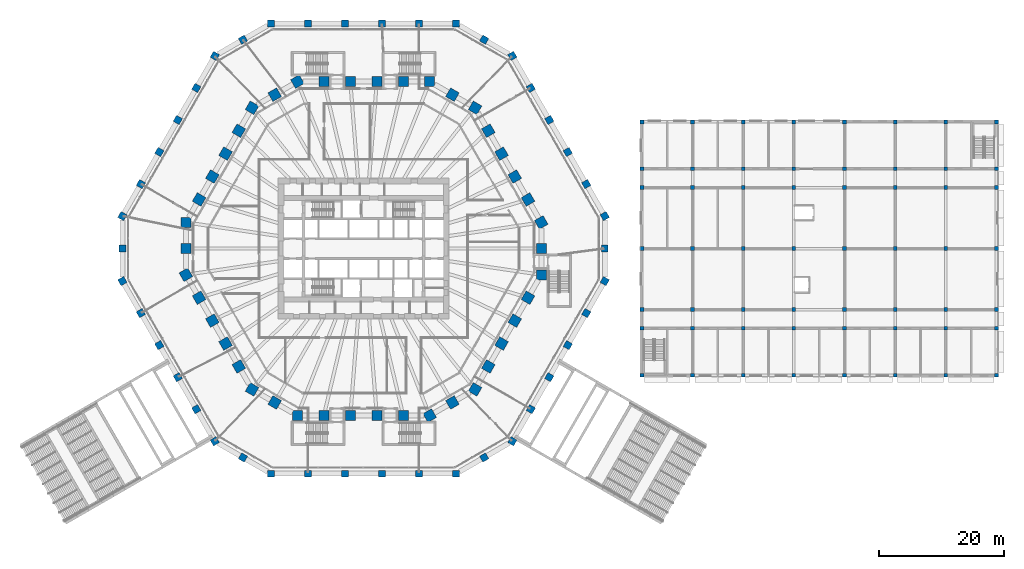
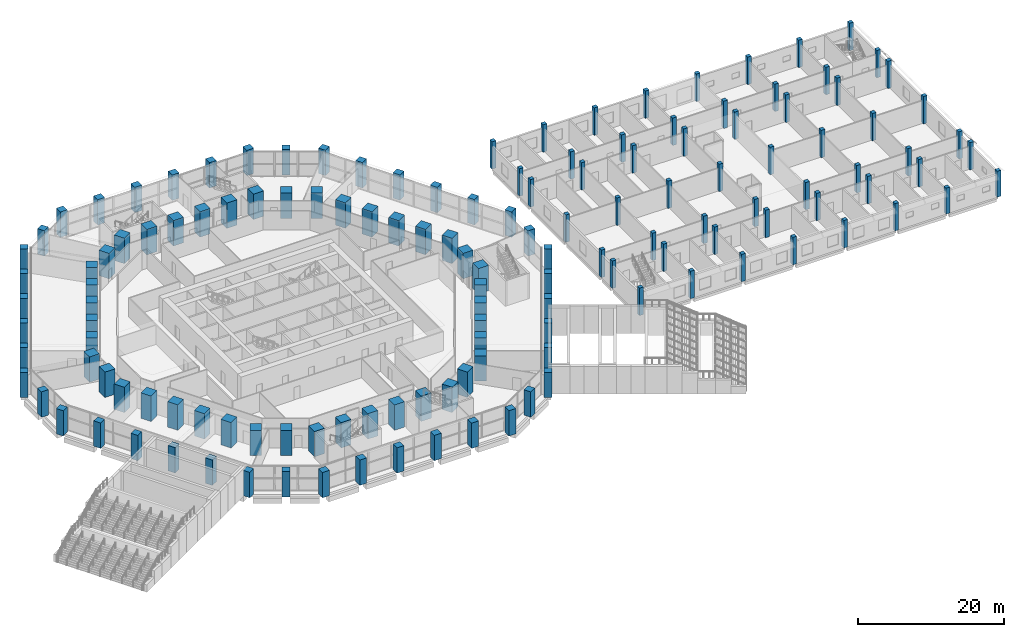
# One storey, part 1 of 38: 140 columns.
"""IFC4 building model written with IfcOpenShell, lengths in metres."""

from ifc_helpers import new_model, si_unit, direction, frame, origin, origin_2d, place, context, subcontext, project, spatial, rectangle, extrude, material, material_profile, profile_set, type_object, element, save


model = new_model("IFC4")

# Units and contexts
model_context = context("Model", 3, precision=1e-05, world=origin(), true_north=direction((0.0, 1.0)))
body_context = subcontext(model_context, "Body", "Model", "MODEL_VIEW")
ifc_project = project(units=[si_unit("LENGTHUNIT", "METRE"), si_unit("AREAUNIT", "SQUARE_METRE"), si_unit("VOLUMEUNIT", "CUBIC_METRE"), si_unit("PLANEANGLEUNIT", "RADIAN"), si_unit("MASSUNIT", "GRAM", prefix="KILO")], contexts=[model_context])

# Site, building, storey
site_placement = place(None, origin())
site = spatial("IfcSite", under=ifc_project, at=site_placement, CompositionType="ELEMENT")
building_placement = place(site_placement, origin())
building = spatial("IfcBuilding", under=site, at=building_placement, Name="Frailejon Research Tower", CompositionType="ELEMENT")
storey_placement = place(building_placement, frame((0.0, 0.0, 5.60009765625)))
storey = spatial("IfcBuildingStorey", under=building, at=storey_placement, Name="L01", CompositionType="ELEMENT", Elevation=5.60009765625)

# Columns
ifc_material_1 = material(Name="Concrete C70/85", Category="concrete")
ifc_material_profile_1 = material_profile(ifc_material_1, rectangle(XDim=1.60009765625, YDim=1.60009765625, at=origin_2d()), Name="Column 1600")
ifc_profile_set_1 = profile_set([ifc_material_profile_1], Name="Concrete C70/85")
column_type_1 = type_object("IfcColumnType", Name="Column 1600", PredefinedType="COLUMN", material=ifc_profile_set_1)
for number, where, z_axis, x_axis, name in (
    (1, (28.412841796875, -4.1875, 0.0), (0.0, 0.0, 1.0), (0.0, 1.0, 0.0), "Column C01"),
    (2, (28.412841796875, 0.0, 0.0), (0.0, 0.0, 1.0), (0.0, 1.0, 0.0), "Column C02"),
    (3, (28.412841796875, 4.1875, 0.0), (0.0, 0.0, 1.0), (-0.5, 0.866025403784, 0.0), "Column C03"),
    (4, (26.296875, 7.8525390625, 0.0), (0.0, 0.0, 1.0), (-0.5, 0.866025403784, 0.0), "Column C04"),
    (5, (24.180908203125, 11.517578125, 0.0), (0.0, 0.0, 1.0), (-0.5, 0.866025403784, 0.0), "Column C05"),
    (6, (22.06494140625, 15.1826171875, 0.0), (0.0, 0.0, 1.0), (-0.5, 0.866025403784, 0.0), "Column C06"),
    (7, (19.948974609375, 18.847412109375, 0.0), (0.0, 0.0, 1.0), (-0.5, 0.866025403784, 0.0), "Column C07"),
    (8, (17.8330078125, 22.512451171875, 0.0), (0.0, 0.0, 1.0), (-0.866025403784, 0.5, 0.0), "Column C08"),
    (9, (14.206298828125, 24.606201171875, 0.0), (0.0, 0.0, 1.0), (-0.866025403784, 0.5, 0.0), "Column C09"),
    (10, (10.579833984375, 26.699951171875, 0.0), (0.0, 0.0, 1.0), (-1.0, 0.0, 0.0), "Column C10"),
    (11, (6.347900390625, 26.699951171875, 0.0), (0.0, 0.0, 1.0), (-1.0, 0.0, 0.0), "Column C11"),
    (12, (2.115966796875, 26.699951171875, 0.0), (0.0, 0.0, 1.0), (-1.0, 0.0, 0.0), "Column C12"),
    (13, (-2.115966796875, 26.699951171875, 0.0), (0.0, 0.0, 1.0), (-1.0, 0.0, 0.0), "Column C13"),
    (14, (-6.347900390625, 26.699951171875, 0.0), (0.0, 0.0, 1.0), (-1.0, 0.0, 0.0), "Column C14"),
    (15, (-10.579833984375, 26.699951171875, 0.0), (0.0, 0.0, 1.0), (-0.866025403784, -0.5, 0.0), "Column C15"),
    (16, (-14.206298828125, 24.606201171875, 0.0), (0.0, 0.0, 1.0), (-0.866025403784, -0.5, 0.0), "Column C16"),
    (17, (-17.8330078125, 22.512451171875, 0.0), (0.0, 0.0, 1.0), (-0.5, -0.866025403784, 0.0), "Column C17"),
    (18, (-19.948974609375, 18.847412109375, 0.0), (0.0, 0.0, 1.0), (-0.5, -0.866025403784, 0.0), "Column C18"),
    (19, (-22.06494140625, 15.1826171875, 0.0), (0.0, 0.0, 1.0), (-0.5, -0.866025403784, 0.0), "Column C19"),
    (20, (-24.180908203125, 11.517578125, 0.0), (0.0, 0.0, 1.0), (-0.5, -0.866025403784, 0.0), "Column C20"),
    (21, (-26.296875, 7.8525390625, 0.0), (0.0, 0.0, 1.0), (-0.5, -0.866025403784, 0.0), "Column C21"),
    (22, (-28.412841796875, 4.1875, 0.0), (0.0, 0.0, 1.0), (0.0, -1.0, 0.0), "Column C22"),
    (23, (-28.412841796875, 0.0, 0.0), (0.0, 0.0, 1.0), (0.0, -1.0, 0.0), "Column C23"),
    (24, (-28.412841796875, -4.1875, 0.0), (0.0, 0.0, 1.0), (0.5, -0.866025403784, 0.0), "Column C24"),
    (25, (-26.296875, -7.8525390625, 0.0), (0.0, 0.0, 1.0), (0.5, -0.866025403784, 0.0), "Column C25"),
    (26, (-24.180908203125, -11.517578125, 0.0), (0.0, 0.0, 1.0), (0.5, -0.866025403784, 0.0), "Column C26"),
    (27, (-22.06494140625, -15.1826171875, 0.0), (0.0, 0.0, 1.0), (0.5, -0.866025403784, 0.0), "Column C27"),
    (28, (-19.948974609375, -18.847412109375, 0.0), (0.0, 0.0, 1.0), (0.5, -0.866025403784, 0.0), "Column C28"),
    (29, (-17.8330078125, -22.512451171875, 0.0), (0.0, 0.0, 1.0), (0.866025403784, -0.5, 0.0), "Column C29"),
    (30, (-14.206298828125, -24.606201171875, 0.0), (0.0, 0.0, 1.0), (0.866025403784, -0.5, 0.0), "Column C30"),
    (31, (-10.579833984375, -26.699951171875, 0.0), (0.0, 0.0, 1.0), (1.0, 0.0, 0.0), "Column C31"),
    (32, (-6.347900390625, -26.699951171875, 0.0), (0.0, 0.0, 1.0), (1.0, 0.0, 0.0), "Column C32"),
    (33, (-2.115966796875, -26.699951171875, 0.0), (0.0, 0.0, 1.0), (1.0, 0.0, 0.0), "Column C33"),
    (34, (2.115966796875, -26.699951171875, 0.0), (0.0, 0.0, 1.0), (1.0, 0.0, 0.0), "Column C34"),
    (35, (6.347900390625, -26.699951171875, 0.0), (0.0, 0.0, 1.0), (1.0, 0.0, 0.0), "Column C35"),
    (36, (10.579833984375, -26.699951171875, 0.0), (0.0, 0.0, 1.0), (0.866025403784, 0.5, 0.0), "Column C36"),
    (37, (14.206298828125, -24.606201171875, 0.0), (0.0, 0.0, 1.0), (0.866025403784, 0.5, 0.0), "Column C37"),
    (38, (17.8330078125, -22.512451171875, 0.0), (0.0, 0.0, 1.0), (0.5, 0.866025403784, 0.0), "Column C38"),
    (39, (19.948974609375, -18.847412109375, 0.0), (0.0, 0.0, 1.0), (0.5, 0.866025403784, 0.0), "Column C39"),
    (40, (22.06494140625, -15.1826171875, 0.0), (0.0, 0.0, 1.0), (0.5, 0.866025403784, 0.0), "Column C40"),
    (41, (24.180908203125, -11.517578125, 0.0), (0.0, 0.0, 1.0), (0.5, 0.866025403784, 0.0), "Column C41"),
    (42, (26.296875, -7.8525390625, 0.0), (0.0, 0.0, 1.0), (0.5, 0.866025403784, 0.0), "Column C42"),
):
    element("IfcColumn", number, at=place(storey_placement, frame(where, z_axis=z_axis, x_axis=x_axis)), inside=storey, type_object=column_type_1, Name=name, PredefinedType="COLUMN", context=body_context, shape_type="SweptSolid", body=[
        extrude(rectangle(XDim=1.60009765625, YDim=1.60009765625, at=origin_2d()), origin(), (0.0, 0.0, 1.0), 4.25),
    ])
ifc_material_2 = material(Name="Concrete C60/75", Category="concrete")
ifc_material_profile_2 = material_profile(ifc_material_2, rectangle(XDim=1.10009765625, YDim=1.10009765625, at=origin_2d()), Name="Column base ring 1100")
ifc_profile_set_2 = profile_set([ifc_material_profile_2], Name="Concrete C60/75")
column_type_2 = type_object("IfcColumnType", Name="Column base ring 1100", PredefinedType="COLUMN", material=ifc_profile_set_2)
for number, where, z_axis, x_axis, name in (
    (43, (38.569091796875, -5.1962890625, 0.0), (0.0, 0.0, 1.0), (0.5, 0.866025403784, 0.0), "Column B01"),
    (44, (38.569091796875, 0.0, 0.0), (0.0, 0.0, 1.0), (0.0, 1.0, 0.0), "Column B02"),
    (45, (38.569091796875, 5.1962890625, 0.0), (0.0, 0.0, 1.0), (-0.5, 0.866025403784, 0.0), "Column B03"),
    (46, (35.6123046875, 10.317626953125, 0.0), (0.0, 0.0, 1.0), (-0.5, 0.866025403784, 0.0), "Column B04"),
    (47, (32.655517578125, 15.439208984375, 0.0), (0.0, 0.0, 1.0), (-0.5, 0.866025403784, 0.0), "Column B05"),
    (48, (29.698486328125, 20.560791015625, 0.0), (0.0, 0.0, 1.0), (-0.5, 0.866025403784, 0.0), "Column B06"),
    (49, (26.741455078125, 25.682373046875, 0.0), (0.0, 0.0, 1.0), (-0.5, 0.866025403784, 0.0), "Column B07"),
    (50, (23.78466796875, 30.8037109375, 0.0), (0.0, 0.0, 1.0), (-0.5, 0.866025403784, 0.0), "Column B08"),
    (51, (19.28466796875, 33.40185546875, 0.0), (0.0, 0.0, 1.0), (-0.866025403784, 0.5, 0.0), "Column B09"),
    (52, (14.78466796875, 36.0, 0.0), (0.0, 0.0, 1.0), (-1.0, 0.0, 0.0), "Column B10"),
    (53, (8.870849609375, 36.0, 0.0), (0.0, 0.0, 1.0), (-1.0, 0.0, 0.0), "Column B11"),
    (54, (2.956787109375, 36.0, 0.0), (0.0, 0.0, 1.0), (-1.0, 0.0, 0.0), "Column B12"),
    (55, (-2.956787109375, 36.0, 0.0), (0.0, 0.0, 1.0), (-1.0, 0.0, 0.0), "Column B13"),
    (56, (-8.870849609375, 36.0, 0.0), (0.0, 0.0, 1.0), (-1.0, 0.0, 0.0), "Column B14"),
    (57, (-14.78466796875, 36.0, 0.0), (0.0, 0.0, 1.0), (-1.0, 0.0, 0.0), "Column B15"),
    (58, (-19.28466796875, 33.40185546875, 0.0), (0.0, 0.0, 1.0), (-0.866025403784, -0.5, 0.0), "Column B16"),
    (59, (-23.78466796875, 30.8037109375, 0.0), (0.0, 0.0, 1.0), (-0.5, -0.866025403784, 0.0), "Column B17"),
    (60, (-26.741455078125, 25.682373046875, 0.0), (0.0, 0.0, 1.0), (-0.5, -0.866025403784, 0.0), "Column B18"),
    (61, (-29.698486328125, 20.560791015625, 0.0), (0.0, 0.0, 1.0), (-0.5, -0.866025403784, 0.0), "Column B19"),
    (62, (-32.655517578125, 15.439208984375, 0.0), (0.0, 0.0, 1.0), (-0.5, -0.866025403784, 0.0), "Column B20"),
    (63, (-35.6123046875, 10.317626953125, 0.0), (0.0, 0.0, 1.0), (-0.5, -0.866025403784, 0.0), "Column B21"),
    (64, (-38.569091796875, 5.1962890625, 0.0), (0.0, 0.0, 1.0), (-0.5, -0.866025403784, 0.0), "Column B22"),
    (65, (-38.569091796875, 0.0, 0.0), (0.0, 0.0, 1.0), (0.0, -1.0, 0.0), "Column B23"),
    (66, (-38.569091796875, -5.1962890625, 0.0), (0.0, 0.0, 1.0), (0.5, -0.866025403784, 0.0), "Column B24"),
    (67, (-35.6123046875, -10.317626953125, 0.0), (0.0, 0.0, 1.0), (0.5, -0.866025403784, 0.0), "Column B25"),
    (68, (-32.655517578125, -15.439208984375, 0.0), (0.0, 0.0, 1.0), (0.5, -0.866025403784, 0.0), "Column B26"),
    (69, (-29.698486328125, -20.560791015625, 0.0), (0.0, 0.0, 1.0), (0.5, -0.866025403784, 0.0), "Column B27"),
    (70, (-26.741455078125, -25.682373046875, 0.0), (0.0, 0.0, 1.0), (0.5, -0.866025403784, 0.0), "Column B28"),
    (71, (-23.78466796875, -30.8037109375, 0.0), (0.0, 0.0, 1.0), (0.5, -0.866025403784, 0.0), "Column B29"),
    (72, (-19.28466796875, -33.40185546875, 0.0), (0.0, 0.0, 1.0), (0.866025403784, -0.5, 0.0), "Column B30"),
    (73, (-14.78466796875, -36.0, 0.0), (0.0, 0.0, 1.0), (1.0, 0.0, 0.0), "Column B31"),
    (74, (-8.870849609375, -36.0, 0.0), (0.0, 0.0, 1.0), (1.0, 0.0, 0.0), "Column B32"),
    (75, (-2.956787109375, -36.0, 0.0), (0.0, 0.0, 1.0), (1.0, 0.0, 0.0), "Column B33"),
    (76, (2.956787109375, -36.0, 0.0), (0.0, 0.0, 1.0), (1.0, 0.0, 0.0), "Column B34"),
    (77, (8.870849609375, -36.0, 0.0), (0.0, 0.0, 1.0), (1.0, 0.0, 0.0), "Column B35"),
    (78, (14.78466796875, -36.0, 0.0), (0.0, 0.0, 1.0), (1.0, 0.0, 0.0), "Column B36"),
    (79, (19.28466796875, -33.40185546875, 0.0), (0.0, 0.0, 1.0), (0.866025403784, 0.5, 0.0), "Column B37"),
    (80, (23.78466796875, -30.8037109375, 0.0), (0.0, 0.0, 1.0), (0.5, 0.866025403784, 0.0), "Column B38"),
    (81, (26.741455078125, -25.682373046875, 0.0), (0.0, 0.0, 1.0), (0.5, 0.866025403784, 0.0), "Column B39"),
    (82, (29.698486328125, -20.560791015625, 0.0), (0.0, 0.0, 1.0), (0.5, 0.866025403784, 0.0), "Column B40"),
    (83, (32.655517578125, -15.439208984375, 0.0), (0.0, 0.0, 1.0), (0.5, 0.866025403784, 0.0), "Column B41"),
    (84, (35.6123046875, -10.317626953125, 0.0), (0.0, 0.0, 1.0), (0.5, 0.866025403784, 0.0), "Column B42"),
):
    element("IfcColumn", number, at=place(storey_placement, frame(where, z_axis=z_axis, x_axis=x_axis)), inside=storey, type_object=column_type_2, Name=name, PredefinedType="COLUMN", context=body_context, shape_type="SweptSolid", body=[
        extrude(rectangle(XDim=1.10009765625, YDim=1.10009765625, at=origin_2d()), origin(), (0.0, 0.0, 1.0), 4.25),
    ])
ifc_material_3 = material(Name="Concrete C35/45", Category="concrete")
ifc_material_profile_3 = material_profile(ifc_material_3, rectangle(XDim=0.60009765625, YDim=0.60009765625, at=origin_2d()), Name="HC column 600x600")
ifc_profile_set_3 = profile_set([ifc_material_profile_3], Name="Concrete C35/45")
column_type_3 = type_object("IfcColumnType", Name="HC column 600x600", PredefinedType="COLUMN", material=ifc_profile_set_3)
for number, where, z_axis, x_axis, name in (
    (85, (44.5, -20.25, 0.0), (0.0, 0.0, 1.0), (1.0, 0.0, 0.0), "HC column A1 L01"),
    (86, (52.60009765625, -20.25, 0.0), (0.0, 0.0, 1.0), (1.0, 0.0, 0.0), "HC column A2 L01"),
    (87, (60.699951171875, -20.25, 0.0), (0.0, 0.0, 1.0), (1.0, 0.0, 0.0), "HC column A3 L01"),
    (88, (68.800048828125, -20.25, 0.0), (0.0, 0.0, 1.0), (1.0, 0.0, 0.0), "HC column A4 L01"),
    (89, (76.89990234375, -20.25, 0.0), (0.0, 0.0, 1.0), (1.0, 0.0, 0.0), "HC column A5 L01"),
    (90, (85.0, -20.25, 0.0), (0.0, 0.0, 1.0), (1.0, 0.0, 0.0), "HC column A6 L01"),
):
    element("IfcColumn", number, at=place(storey_placement, frame(where, z_axis=z_axis, x_axis=x_axis)), inside=storey, type_object=column_type_3, Name=name, PredefinedType="COLUMN", context=body_context, shape_type="SweptSolid", body=[
        extrude(rectangle(XDim=0.60009765625, YDim=0.60009765625, at=origin_2d()), origin(), (0.0, 0.0, 1.0), 4.599853515625),
    ])
for number, where, z_axis, x_axis, name in (
    (91, (93.10009765625, -20.25, 0.0), (0.0, 0.0, 1.0), (1.0, 0.0, 0.0), "HC column A7 L01"),
    (92, (101.199951171875, -20.25, 0.0), (0.0, 0.0, 1.0), (1.0, 0.0, 0.0), "HC column A8 L01"),
):
    element("IfcColumn", number, at=place(storey_placement, frame(where, z_axis=z_axis, x_axis=x_axis)), inside=storey, type_object=column_type_3, Name=name, PredefinedType="COLUMN", context=body_context, shape_type="SweptSolid", body=[
        extrude(rectangle(XDim=0.60009765625, YDim=0.60009765625, at=origin_2d()), origin(), (0.0, 0.0, 1.0), 4.349853515625),
    ])
for number, where, z_axis, x_axis, name in (
    (93, (44.5, -12.75, 0.0), (0.0, 0.0, 1.0), (1.0, 0.0, 0.0), "HC column B1 L01"),
    (94, (52.60009765625, -12.75, 0.0), (0.0, 0.0, 1.0), (1.0, 0.0, 0.0), "HC column B2 L01"),
    (95, (60.699951171875, -12.75, 0.0), (0.0, 0.0, 1.0), (1.0, 0.0, 0.0), "HC column B3 L01"),
    (96, (68.800048828125, -12.75, 0.0), (0.0, 0.0, 1.0), (1.0, 0.0, 0.0), "HC column B4 L01"),
    (97, (76.89990234375, -12.75, 0.0), (0.0, 0.0, 1.0), (1.0, 0.0, 0.0), "HC column B5 L01"),
    (98, (85.0, -12.75, 0.0), (0.0, 0.0, 1.0), (1.0, 0.0, 0.0), "HC column B6 L01"),
    (99, (93.10009765625, -12.75, 0.0), (0.0, 0.0, 1.0), (1.0, 0.0, 0.0), "HC column B7 L01"),
    (100, (101.199951171875, -12.75, 0.0), (0.0, 0.0, 1.0), (1.0, 0.0, 0.0), "HC column B8 L01"),
    (101, (44.5, -9.75, 0.0), (0.0, 0.0, 1.0), (1.0, 0.0, 0.0), "HC column C1 L01"),
    (102, (52.60009765625, -9.75, 0.0), (0.0, 0.0, 1.0), (1.0, 0.0, 0.0), "HC column C2 L01"),
    (103, (60.699951171875, -9.75, 0.0), (0.0, 0.0, 1.0), (1.0, 0.0, 0.0), "HC column C3 L01"),
    (104, (68.800048828125, -9.75, 0.0), (0.0, 0.0, 1.0), (1.0, 0.0, 0.0), "HC column C4 L01"),
    (105, (76.89990234375, -9.75, 0.0), (0.0, 0.0, 1.0), (1.0, 0.0, 0.0), "HC column C5 L01"),
    (106, (85.0, -9.75, 0.0), (0.0, 0.0, 1.0), (1.0, 0.0, 0.0), "HC column C6 L01"),
    (107, (93.10009765625, -9.75, 0.0), (0.0, 0.0, 1.0), (1.0, 0.0, 0.0), "HC column C7 L01"),
    (108, (101.199951171875, -9.75, 0.0), (0.0, 0.0, 1.0), (1.0, 0.0, 0.0), "HC column C8 L01"),
    (109, (44.5, 0.0, 0.0), (0.0, 0.0, 1.0), (1.0, 0.0, 0.0), "HC column D1 L01"),
    (110, (52.60009765625, 0.0, 0.0), (0.0, 0.0, 1.0), (1.0, 0.0, 0.0), "HC column D2 L01"),
    (111, (60.699951171875, 0.0, 0.0), (0.0, 0.0, 1.0), (1.0, 0.0, 0.0), "HC column D3 L01"),
    (112, (68.800048828125, 0.0, 0.0), (0.0, 0.0, 1.0), (1.0, 0.0, 0.0), "HC column D4 L01"),
    (113, (76.89990234375, 0.0, 0.0), (0.0, 0.0, 1.0), (1.0, 0.0, 0.0), "HC column D5 L01"),
    (114, (85.0, 0.0, 0.0), (0.0, 0.0, 1.0), (1.0, 0.0, 0.0), "HC column D6 L01"),
    (115, (93.10009765625, 0.0, 0.0), (0.0, 0.0, 1.0), (1.0, 0.0, 0.0), "HC column D7 L01"),
    (116, (101.199951171875, 0.0, 0.0), (0.0, 0.0, 1.0), (1.0, 0.0, 0.0), "HC column D8 L01"),
    (117, (44.5, 9.75, 0.0), (0.0, 0.0, 1.0), (1.0, 0.0, 0.0), "HC column E1 L01"),
    (118, (52.60009765625, 9.75, 0.0), (0.0, 0.0, 1.0), (1.0, 0.0, 0.0), "HC column E2 L01"),
    (119, (60.699951171875, 9.75, 0.0), (0.0, 0.0, 1.0), (1.0, 0.0, 0.0), "HC column E3 L01"),
    (120, (68.800048828125, 9.75, 0.0), (0.0, 0.0, 1.0), (1.0, 0.0, 0.0), "HC column E4 L01"),
    (121, (76.89990234375, 9.75, 0.0), (0.0, 0.0, 1.0), (1.0, 0.0, 0.0), "HC column E5 L01"),
    (122, (85.0, 9.75, 0.0), (0.0, 0.0, 1.0), (1.0, 0.0, 0.0), "HC column E6 L01"),
    (123, (93.10009765625, 9.75, 0.0), (0.0, 0.0, 1.0), (1.0, 0.0, 0.0), "HC column E7 L01"),
    (124, (101.199951171875, 9.75, 0.0), (0.0, 0.0, 1.0), (1.0, 0.0, 0.0), "HC column E8 L01"),
    (125, (44.5, 12.75, 0.0), (0.0, 0.0, 1.0), (1.0, 0.0, 0.0), "HC column F1 L01"),
    (126, (52.60009765625, 12.75, 0.0), (0.0, 0.0, 1.0), (1.0, 0.0, 0.0), "HC column F2 L01"),
    (127, (60.699951171875, 12.75, 0.0), (0.0, 0.0, 1.0), (1.0, 0.0, 0.0), "HC column F3 L01"),
    (128, (68.800048828125, 12.75, 0.0), (0.0, 0.0, 1.0), (1.0, 0.0, 0.0), "HC column F4 L01"),
    (129, (76.89990234375, 12.75, 0.0), (0.0, 0.0, 1.0), (1.0, 0.0, 0.0), "HC column F5 L01"),
    (130, (85.0, 12.75, 0.0), (0.0, 0.0, 1.0), (1.0, 0.0, 0.0), "HC column F6 L01"),
    (131, (93.10009765625, 12.75, 0.0), (0.0, 0.0, 1.0), (1.0, 0.0, 0.0), "HC column F7 L01"),
    (132, (101.199951171875, 12.75, 0.0), (0.0, 0.0, 1.0), (1.0, 0.0, 0.0), "HC column F8 L01"),
    (133, (44.5, 20.25, 0.0), (0.0, 0.0, 1.0), (1.0, 0.0, 0.0), "HC column G1 L01"),
    (134, (52.60009765625, 20.25, 0.0), (0.0, 0.0, 1.0), (1.0, 0.0, 0.0), "HC column G2 L01"),
    (135, (60.699951171875, 20.25, 0.0), (0.0, 0.0, 1.0), (1.0, 0.0, 0.0), "HC column G3 L01"),
    (136, (68.800048828125, 20.25, 0.0), (0.0, 0.0, 1.0), (1.0, 0.0, 0.0), "HC column G4 L01"),
    (137, (76.89990234375, 20.25, 0.0), (0.0, 0.0, 1.0), (1.0, 0.0, 0.0), "HC column G5 L01"),
    (138, (85.0, 20.25, 0.0), (0.0, 0.0, 1.0), (1.0, 0.0, 0.0), "HC column G6 L01"),
    (139, (93.10009765625, 20.25, 0.0), (0.0, 0.0, 1.0), (1.0, 0.0, 0.0), "HC column G7 L01"),
    (140, (101.199951171875, 20.25, 0.0), (0.0, 0.0, 1.0), (1.0, 0.0, 0.0), "HC column G8 L01"),
):
    element("IfcColumn", number, at=place(storey_placement, frame(where, z_axis=z_axis, x_axis=x_axis)), inside=storey, type_object=column_type_3, Name=name, PredefinedType="COLUMN", context=body_context, shape_type="SweptSolid", body=[
        extrude(rectangle(XDim=0.60009765625, YDim=0.60009765625, at=origin_2d()), origin(), (0.0, 0.0, 1.0), 4.599853515625),
    ])

save(model, "model.ifc")
